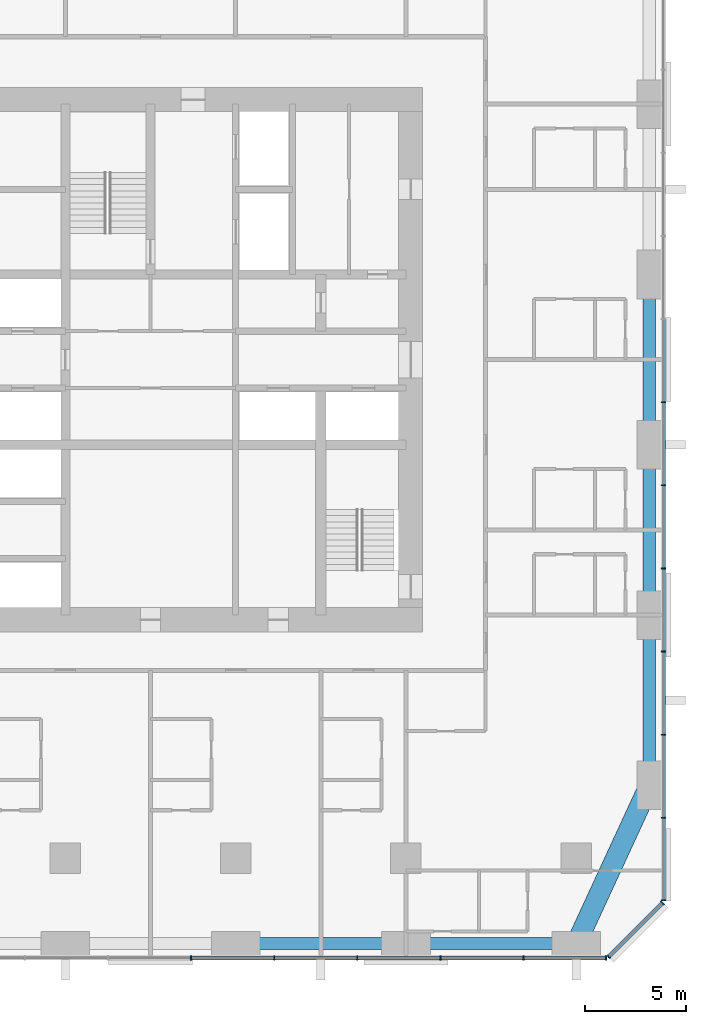
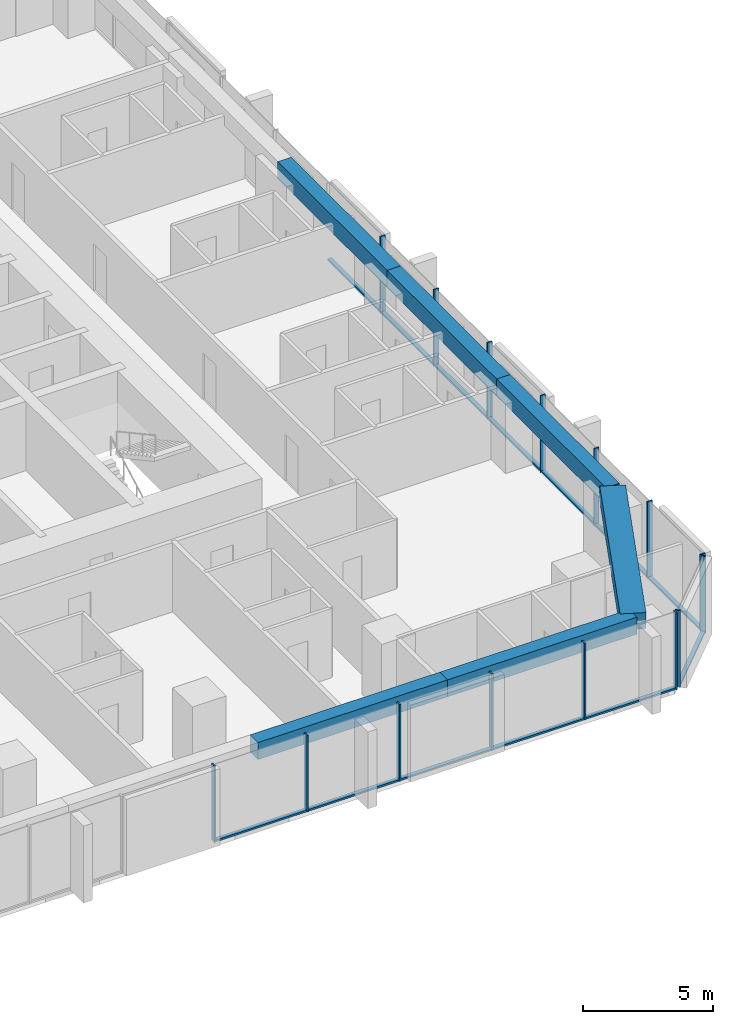
# One storey, part 4 of 14: 28 members, 6 beams, 3 elements without a shape of their own.
"""IFC4 building model written with IfcOpenShell, lengths in metres."""

import ifcopenshell
import ifcopenshell.guid

model = None  # the IFC model being written
_history = None  # IfcOwnerHistory: only IFC2X3 demands one
_inside = {}  # id of a spatial element -> (the spatial element, [elements in it])
_under = {}  # id of a project, library or spatial element -> (it, [spatial elements below it])
_declared = {}  # id of a project -> (the project, [libraries it declares])
_typed = {}  # id of a type object -> (the type object, [elements of that type])
_made_of = {}  # id of a material, layer set ... -> (it, [elements and type objects made of it])


def new_model(schema):
    """Start an empty IFC model of exactly this schema.

    Asked for "IFC4X3", IfcOpenShell would pick the latest addendum, in which some entities
    have other attributes; the version numbers below select the first issue.
    IFC2X3 requires an IfcOwnerHistory on every rooted entity: one is made here for all.
    """
    global model, _history
    if schema == "IFC4X3":
        model = ifcopenshell.file(schema_version=(4, 3, 0, 0))
    else:
        model = ifcopenshell.file(schema=schema)
    _inside.clear()
    _under.clear()
    _declared.clear()
    _typed.clear()
    _made_of.clear()
    _history = None
    if model.schema == "IFC2X3":
        org = make("IfcOrganization", Name="unknown")
        user = make(
            "IfcPersonAndOrganization",
            ThePerson=make("IfcPerson", FamilyName="unknown"),
            TheOrganization=org,
        )
        app = make(
            "IfcApplication",
            ApplicationDeveloper=org,
            Version="unknown",
            ApplicationFullName="unknown",
            ApplicationIdentifier="unknown",
        )
        _history = make(
            "IfcOwnerHistory",
            OwningUser=user,
            OwningApplication=app,
            ChangeAction="ADDED",
            CreationDate=0,
        )
    return model


def make(cls, **values):
    """One entity of the class cls with the attributes given. An attribute that is None is left unset."""
    return model.create_entity(
        cls, **{name: value for name, value in values.items() if value is not None}
    )


def rooted(cls, **values):
    """An entity with a GlobalId (a new one), such as an element, a storey or a relation."""
    return make(cls, GlobalId=ifcopenshell.guid.new(), OwnerHistory=_history, **values)


def si_unit(unit_type, name, prefix=None):
    """IfcSIUnit, for example si_unit("LENGTHUNIT", "METRE", prefix="MILLI")."""
    return make("IfcSIUnit", UnitType=unit_type, Prefix=prefix, Name=name)


def assignment(units):
    """IfcUnitAssignment: the units of a project."""
    return None if units is None else make("IfcUnitAssignment", Units=units)


def point(xyz):
    """IfcCartesianPoint."""
    return None if xyz is None else make("IfcCartesianPoint", Coordinates=xyz)


def direction(xyz):
    """IfcDirection."""
    return None if xyz is None else make("IfcDirection", DirectionRatios=xyz)


def frame(location, z_axis=None, x_axis=None):
    """IfcAxis2Placement3D, a coordinate frame: its origin and axes. An axis left out is left unset."""
    return make(
        "IfcAxis2Placement3D",
        Location=point(location),
        Axis=direction(z_axis),
        RefDirection=direction(x_axis),
    )


def frame_2d(location, x_axis=None):
    """IfcAxis2Placement2D, a coordinate frame in the plane: its origin and x axis."""
    return make(
        "IfcAxis2Placement2D", Location=point(location), RefDirection=direction(x_axis)
    )


def origin():
    """The frame at (0, 0, 0) with its axes left unset."""
    return frame((0.0, 0.0, 0.0))


def origin_2d():
    """The frame at (0, 0) in the plane with its x axis left unset."""
    return frame_2d((0.0, 0.0))


def place(relative_to, where):
    """IfcLocalPlacement: puts the frame where relative to a parent placement (None: the world)."""
    return make(
        "IfcLocalPlacement", PlacementRelTo=relative_to, RelativePlacement=where
    )


def context(
    kind, dimensions, precision=None, world=None, true_north=None, identifier=None
):
    """IfcGeometricRepresentationContext, for example the 3D "Model" context."""
    return make(
        "IfcGeometricRepresentationContext",
        ContextIdentifier=identifier,
        ContextType=kind,
        CoordinateSpaceDimension=dimensions,
        Precision=precision,
        WorldCoordinateSystem=world,
        TrueNorth=true_north,
    )


def subcontext(parent, identifier, kind, view, scale=None):
    """IfcGeometricRepresentationSubContext, for example "Body" below "Model"."""
    return make(
        "IfcGeometricRepresentationSubContext",
        ContextIdentifier=identifier,
        ContextType=kind,
        ParentContext=parent,
        TargetScale=scale,
        TargetView=view,
    )


def project(units=None, contexts=None):
    """IfcProject with its units and contexts."""
    return rooted(
        "IfcProject",
        Name="project",
        RepresentationContexts=contexts,
        UnitsInContext=assignment(units),
    )


def spatial(cls, under=None, at=None, **own):
    """A site, building, storey or space (cls), placed at a placement, below another one or the project."""
    s = rooted(cls, ObjectPlacement=at, **own)
    if under is not None:
        _under.setdefault(under.id(), (under, []))[1].append(s)
    return s


def profile(cls, at=None, kind="AREA", **sizes):
    """A parametric profile (cls). Its sizes go by their IFC names, for example OverallWidth=200.0."""
    return make(cls, ProfileType=kind, Position=at, **sizes)


def rectangle(**sizes):
    """IfcRectangleProfileDef."""
    return profile("IfcRectangleProfileDef", **sizes)


def extrude(swept, where, along, depth):
    """IfcExtrudedAreaSolid: the profile swept, set in the frame where, extruded along a direction by depth."""
    return make(
        "IfcExtrudedAreaSolid",
        SweptArea=swept,
        Position=where,
        ExtrudedDirection=direction(along),
        Depth=depth,
    )


def shape(context_of_items, identifier, shape_type, items):
    """IfcShapeRepresentation: the items that make up one representation, for example the "Body"."""
    return make(
        "IfcShapeRepresentation",
        ContextOfItems=context_of_items,
        RepresentationIdentifier=identifier,
        RepresentationType=shape_type,
        Items=items,
    )


def material(Name=None, Category=None):
    """IfcMaterial."""
    return make("IfcMaterial", Name=Name, Category=Category)


def material_profile(
    of_material, cross_section, Name=None, Category=None, Priority=None
):
    """IfcMaterialProfile: a cross section and its material."""
    return make(
        "IfcMaterialProfile",
        Name=Name,
        Material=of_material,
        Profile=cross_section,
        Priority=Priority,
        Category=Category,
    )


def profile_set(profiles, Name=None, composite=None):
    """IfcMaterialProfileSet."""
    return make(
        "IfcMaterialProfileSet",
        Name=Name,
        MaterialProfiles=profiles,
        CompositeProfile=composite,
    )


def made_of(thing, what):
    """Note that an element or type object is made of a material, layer set ...; save() writes the relation."""
    if what is not None:
        _made_of.setdefault(what.id(), (what, []))[1].append(thing)
    return thing


def type_object(cls, material=None, **own):
    """A type object (cls), such as IfcWallType, which elements share."""
    return made_of(rooted(cls, **own), material)


def element(
    cls,
    number,
    at=None,
    inside=None,
    cuts=None,
    type_object=None,
    material=None,
    context=None,
    identifier="Body",
    shape_type=None,
    held_by="IfcProductDefinitionShape",
    body=None,
    shapes=None,
    **own,
):
    """One element of the class cls, such as IfcWall. Its Tag is "e" and its number.

    at: its placement. inside: the storey or other place that contains it. cuts: it is an
    opening in that element (IfcRelVoidsElement). A single representation is given by context,
    identifier, shape_type and body (its items); several are given by shapes. held_by: the class
    of the entity that holds the representations. save() writes the other relations.
    """
    e = rooted(cls, Tag="e%d" % number, ObjectPlacement=at, **own)
    if body is not None:
        shapes = [shape(context, identifier, shape_type, body)]
    if shapes is not None:
        e.Representation = make(held_by, Representations=shapes)
    if inside is not None:
        _inside.setdefault(inside.id(), (inside, []))[1].append(e)
    if cuts is not None:
        rooted(
            "IfcRelVoidsElement", RelatingBuildingElement=cuts, RelatedOpeningElement=e
        )
    if type_object is not None:
        _typed.setdefault(type_object.id(), (type_object, []))[1].append(e)
    return made_of(e, material)


def aggregate(whole, parts):
    """IfcRelAggregates: a whole, such as a stair, and the parts it consists of."""
    return rooted("IfcRelAggregates", RelatingObject=whole, RelatedObjects=parts)


def save(model, path):
    """Write the relations noted so far, then the file.

    IfcRelAggregates (storeys below a building ...), IfcRelContainedInSpatialStructure (elements
    in a storey), IfcRelDefinesByType, IfcRelAssociatesMaterial and IfcRelDeclares: one each for
    every whole, place, type object, material and project.
    """
    for whole, parts in _under.values():
        aggregate(whole, parts)
    for where, things in _inside.values():
        rooted(
            "IfcRelContainedInSpatialStructure",
            RelatedElements=things,
            RelatingStructure=where,
        )
    for kind, things in _typed.values():
        rooted("IfcRelDefinesByType", RelatedObjects=things, RelatingType=kind)
    for what, things in _made_of.values():
        rooted("IfcRelAssociatesMaterial", RelatedObjects=things, RelatingMaterial=what)
    for by, libraries in _declared.values():
        rooted("IfcRelDeclares", RelatingContext=by, RelatedDefinitions=libraries)
    model.write(path)


model = new_model("IFC4")

# Units and contexts
model_context = context("Model", 3, precision=1e-05, world=origin(), true_north=direction((0.0, 1.0)))
body_context = subcontext(model_context, "Body", "Model", "MODEL_VIEW")
ifc_project = project(units=[si_unit("LENGTHUNIT", "METRE"), si_unit("AREAUNIT", "SQUARE_METRE"), si_unit("VOLUMEUNIT", "CUBIC_METRE"), si_unit("PLANEANGLEUNIT", "RADIAN"), si_unit("MASSUNIT", "GRAM", prefix="KILO")], contexts=[model_context])

# Site, building, storey
site_placement = place(None, origin())
site = spatial("IfcSite", under=ifc_project, at=site_placement, CompositionType="ELEMENT")
building_placement = place(site_placement, origin())
building = spatial("IfcBuilding", under=site, at=building_placement, Name="Dunama Terrace Hotel", CompositionType="ELEMENT")
storey_placement = place(building_placement, frame((0.0, 0.0, 108.0)))
storey = spatial("IfcBuildingStorey", under=building, at=storey_placement, Name="L27", CompositionType="ELEMENT", Elevation=108.0)

# Curtain wall, members
ifc_material_1 = material(Name="Aluminium curtain wall system", Category="aluminium")
curtain_wall_type = type_object("IfcCurtainWallType", Name="Unitised fritted glass wall CW-B", PredefinedType="NOTDEFINED", material=ifc_material_1)
curtain_wall_1_placement = place(storey_placement, origin())
curtain_wall_1 = element("IfcCurtainWall", 1, at=curtain_wall_1_placement, inside=storey, type_object=curtain_wall_type, Name="Unitised fritted glass wall CW-B L27", PredefinedType="NOTDEFINED")
ifc_material_2 = material(Name="Aluminium mullion", Category="aluminium")
ifc_material_profile_1 = material_profile(ifc_material_2, rectangle(XDim=0.06494140625, YDim=0.219970703125, at=origin_2d()), Name="CWB MULLION 65X220")
ifc_profile_set_1 = profile_set([ifc_material_profile_1], Name="Aluminium mullion")
member_type_1 = type_object("IfcMemberType", Name="CWB mullion 65x220", PredefinedType="MULLION", material=ifc_profile_set_1)
member_1_placement = place(storey_placement, frame((31.39990234375, -0.110107421875, 0.0), z_axis=(0.0, 0.0, 1.0), x_axis=(1.0, 0.0, 0.0)))
member_1 = element("IfcMember", 2, at=member_1_placement, type_object=member_type_1, Name="CWB mullion", PredefinedType="MULLION", context=body_context, shape_type="SweptSolid", body=[
    extrude(rectangle(XDim=0.06494140625, YDim=0.219970703125, at=origin_2d()), origin(), (0.0, 0.0, 1.0), 3.60009765625),
])
member_2_placement = place(storey_placement, frame((35.5, -0.110107421875, 0.0), z_axis=(0.0, 0.0, 1.0), x_axis=(1.0, 0.0, 0.0)))
member_2 = element("IfcMember", 3, at=member_2_placement, type_object=member_type_1, Name="CWB mullion", PredefinedType="MULLION", context=body_context, shape_type="SweptSolid", body=[
    extrude(rectangle(XDim=0.06494140625, YDim=0.219970703125, at=origin_2d()), origin(), (0.0, 0.0, 1.0), 3.60009765625),
])
member_3_placement = place(storey_placement, frame((39.60009765625, -0.110107421875, 0.0), z_axis=(0.0, 0.0, 1.0), x_axis=(1.0, 0.0, 0.0)))
member_3 = element("IfcMember", 4, at=member_3_placement, type_object=member_type_1, Name="CWB mullion", PredefinedType="MULLION", context=body_context, shape_type="SweptSolid", body=[
    extrude(rectangle(XDim=0.06494140625, YDim=0.219970703125, at=origin_2d()), origin(), (0.0, 0.0, 1.0), 3.60009765625),
])
member_4_placement = place(storey_placement, frame((43.699951171875, -0.110107421875, 0.0), z_axis=(0.0, 0.0, 1.0), x_axis=(1.0, 0.0, 0.0)))
member_4 = element("IfcMember", 5, at=member_4_placement, type_object=member_type_1, Name="CWB mullion", PredefinedType="MULLION", context=body_context, shape_type="SweptSolid", body=[
    extrude(rectangle(XDim=0.06494140625, YDim=0.219970703125, at=origin_2d()), origin(), (0.0, 0.0, 1.0), 3.60009765625),
])
member_5_placement = place(storey_placement, frame((47.800048828125, -0.110107421875, 0.0), z_axis=(0.0, 0.0, 1.0), x_axis=(1.0, 0.0, 0.0)))
member_5 = element("IfcMember", 6, at=member_5_placement, type_object=member_type_1, Name="CWB mullion", PredefinedType="MULLION", context=body_context, shape_type="SweptSolid", body=[
    extrude(rectangle(XDim=0.06494140625, YDim=0.219970703125, at=origin_2d()), origin(), (0.0, 0.0, 1.0), 3.60009765625),
])
member_6_placement = place(storey_placement, frame((51.866943359375, -0.110107421875, 0.0), z_axis=(0.0, 0.0, 1.0), x_axis=(1.0, 0.0, 0.0)))
member_6 = element("IfcMember", 7, at=member_6_placement, type_object=member_type_1, Name="CWB mullion", PredefinedType="MULLION", context=body_context, shape_type="SweptSolid", body=[
    extrude(rectangle(XDim=0.06494140625, YDim=0.219970703125, at=origin_2d()), origin(), (0.0, 0.0, 1.0), 3.60009765625),
])

curtain_wall_2_placement = place(storey_placement, origin())
curtain_wall_2 = element("IfcCurtainWall", 8, at=curtain_wall_2_placement, inside=storey, type_object=curtain_wall_type, Name="Unitised fritted glass wall CW-B L27", PredefinedType="NOTDEFINED")
member_7_placement = place(storey_placement, frame((52.0009765625, -0.054931640625, 0.0), z_axis=(0.0, 0.0, 1.0), x_axis=(0.707106781187, 0.707106781187, 0.0)))
member_7 = element("IfcMember", 9, at=member_7_placement, type_object=member_type_1, Name="CWB mullion", PredefinedType="MULLION", context=body_context, shape_type="SweptSolid", body=[
    extrude(rectangle(XDim=0.06494140625, YDim=0.219970703125, at=origin_2d()), origin(), (0.0, 0.0, 1.0), 3.60009765625),
])
member_8_placement = place(storey_placement, frame((54.655029296875, 2.59912109375, 0.0), z_axis=(0.0, 0.0, 1.0), x_axis=(0.707106781187, 0.707106781187, 0.0)))
member_8 = element("IfcMember", 10, at=member_8_placement, type_object=member_type_1, Name="CWB mullion", PredefinedType="MULLION", context=body_context, shape_type="SweptSolid", body=[
    extrude(rectangle(XDim=0.06494140625, YDim=0.219970703125, at=origin_2d()), origin(), (0.0, 0.0, 1.0), 3.60009765625),
])

curtain_wall_3_placement = place(storey_placement, origin())
curtain_wall_3 = element("IfcCurtainWall", 11, at=curtain_wall_3_placement, inside=storey, type_object=curtain_wall_type, Name="Unitised fritted glass wall CW-B L27", PredefinedType="NOTDEFINED")
member_9_placement = place(storey_placement, frame((54.7099609375, 2.73291015625, 0.0), z_axis=(0.0, 0.0, 1.0), x_axis=(0.0, 1.0, 0.0)))
member_9 = element("IfcMember", 12, at=member_9_placement, type_object=member_type_1, Name="CWB mullion", PredefinedType="MULLION", context=body_context, shape_type="SweptSolid", body=[
    extrude(rectangle(XDim=0.06494140625, YDim=0.219970703125, at=origin_2d()), origin(), (0.0, 0.0, 1.0), 3.60009765625),
])
member_10_placement = place(storey_placement, frame((54.7099609375, 6.800048828125, 0.0), z_axis=(0.0, 0.0, 1.0), x_axis=(0.0, 1.0, 0.0)))
member_10 = element("IfcMember", 13, at=member_10_placement, type_object=member_type_1, Name="CWB mullion", PredefinedType="MULLION", context=body_context, shape_type="SweptSolid", body=[
    extrude(rectangle(XDim=0.06494140625, YDim=0.219970703125, at=origin_2d()), origin(), (0.0, 0.0, 1.0), 3.60009765625),
])
member_11_placement = place(storey_placement, frame((54.7099609375, 10.89990234375, 0.0), z_axis=(0.0, 0.0, 1.0), x_axis=(0.0, 1.0, 0.0)))
member_11 = element("IfcMember", 14, at=member_11_placement, type_object=member_type_1, Name="CWB mullion", PredefinedType="MULLION", context=body_context, shape_type="SweptSolid", body=[
    extrude(rectangle(XDim=0.06494140625, YDim=0.219970703125, at=origin_2d()), origin(), (0.0, 0.0, 1.0), 3.60009765625),
])
member_12_placement = place(storey_placement, frame((54.7099609375, 15.0, 0.0), z_axis=(0.0, 0.0, 1.0), x_axis=(0.0, 1.0, 0.0)))
member_12 = element("IfcMember", 15, at=member_12_placement, type_object=member_type_1, Name="CWB mullion", PredefinedType="MULLION", context=body_context, shape_type="SweptSolid", body=[
    extrude(rectangle(XDim=0.06494140625, YDim=0.219970703125, at=origin_2d()), origin(), (0.0, 0.0, 1.0), 3.60009765625),
])
member_13_placement = place(storey_placement, frame((54.7099609375, 19.10009765625, 0.0), z_axis=(0.0, 0.0, 1.0), x_axis=(0.0, 1.0, 0.0)))
member_13 = element("IfcMember", 16, at=member_13_placement, type_object=member_type_1, Name="CWB mullion", PredefinedType="MULLION", context=body_context, shape_type="SweptSolid", body=[
    extrude(rectangle(XDim=0.06494140625, YDim=0.219970703125, at=origin_2d()), origin(), (0.0, 0.0, 1.0), 3.60009765625),
])
member_14_placement = place(storey_placement, frame((54.7099609375, 23.199951171875, 0.0), z_axis=(0.0, 0.0, 1.0), x_axis=(0.0, 1.0, 0.0)))
member_14 = element("IfcMember", 17, at=member_14_placement, type_object=member_type_1, Name="CWB mullion", PredefinedType="MULLION", context=body_context, shape_type="SweptSolid", body=[
    extrude(rectangle(XDim=0.06494140625, YDim=0.219970703125, at=origin_2d()), origin(), (0.0, 0.0, 1.0), 3.60009765625),
])
member_15_placement = place(storey_placement, frame((54.7099609375, 27.300048828125, 0.0), z_axis=(0.0, 0.0, 1.0), x_axis=(0.0, 1.0, 0.0)))
member_15 = element("IfcMember", 18, at=member_15_placement, type_object=member_type_1, Name="CWB mullion", PredefinedType="MULLION", context=body_context, shape_type="SweptSolid", body=[
    extrude(rectangle(XDim=0.06494140625, YDim=0.219970703125, at=origin_2d()), origin(), (0.0, 0.0, 1.0), 3.60009765625),
])

# Member
ifc_material_3 = material(Name="Aluminium transom", Category="aluminium")
ifc_material_profile_2 = material_profile(ifc_material_3, rectangle(XDim=0.179931640625, YDim=0.080078125, at=origin_2d()), Name="CWB TRANSOM 180X80")
ifc_profile_set_2 = profile_set([ifc_material_profile_2], Name="Aluminium transom")
member_type_2 = type_object("IfcMemberType", Name="CWB transom 180x80", PredefinedType="USERDEFINED", material=ifc_profile_set_2)
member_16_placement = place(storey_placement, frame((31.431884765625, -0.110107421875, 0.0400390625), z_axis=(1.0, 0.0, 0.0), x_axis=(0.0, 1.0, 0.0)))
member_16 = element("IfcMember", 19, at=member_16_placement, type_object=member_type_2, Name="CWB transom", ObjectType="TRANSOM", PredefinedType="USERDEFINED", context=body_context, shape_type="SweptSolid", body=[
    extrude(rectangle(XDim=0.179931640625, YDim=0.080078125, at=origin_2d()), origin(), (0.0, 0.0, 1.0), 4.0361328125),
])

member_17_placement = place(storey_placement, frame((35.531982421875, -0.110107421875, 0.0400390625), z_axis=(1.0, 0.0, 0.0), x_axis=(0.0, 1.0, 0.0)))
member_17 = element("IfcMember", 20, at=member_17_placement, type_object=member_type_2, Name="CWB transom", ObjectType="TRANSOM", PredefinedType="USERDEFINED", context=body_context, shape_type="SweptSolid", body=[
    extrude(rectangle(XDim=0.179931640625, YDim=0.080078125, at=origin_2d()), origin(), (0.0, 0.0, 1.0), 4.0361328125),
])

member_18_placement = place(storey_placement, frame((39.633056640625, -0.110107421875, 0.0400390625), z_axis=(1.0, 0.0, 0.0), x_axis=(0.0, 1.0, 0.0)))
member_18 = element("IfcMember", 21, at=member_18_placement, type_object=member_type_2, Name="CWB transom", ObjectType="TRANSOM", PredefinedType="USERDEFINED", context=body_context, shape_type="SweptSolid", body=[
    extrude(rectangle(XDim=0.179931640625, YDim=0.080078125, at=origin_2d()), origin(), (0.0, 0.0, 1.0), 4.034912109375),
])

member_19_placement = place(storey_placement, frame((43.73291015625, -0.110107421875, 0.0400390625), z_axis=(1.0, 0.0, 0.0), x_axis=(0.0, 1.0, 0.0)))
member_19 = element("IfcMember", 22, at=member_19_placement, type_object=member_type_2, Name="CWB transom", ObjectType="TRANSOM", PredefinedType="USERDEFINED", context=body_context, shape_type="SweptSolid", body=[
    extrude(rectangle(XDim=0.179931640625, YDim=0.080078125, at=origin_2d()), origin(), (0.0, 0.0, 1.0), 4.0341796875),
])

member_20_placement = place(storey_placement, frame((47.83203125, -0.110107421875, 0.0400390625), z_axis=(1.0, 0.0, 0.0), x_axis=(0.0, 1.0, 0.0)))
member_20 = element("IfcMember", 23, at=member_20_placement, type_object=member_type_2, Name="CWB transom", ObjectType="TRANSOM", PredefinedType="USERDEFINED", context=body_context, shape_type="SweptSolid", body=[
    extrude(rectangle(XDim=0.179931640625, YDim=0.080078125, at=origin_2d()), origin(), (0.0, 0.0, 1.0), 4.0029296875),
])

aggregate(curtain_wall_1, [member_1, member_2, member_3, member_4, member_5, member_6, member_16, member_17, member_18, member_19, member_20])

member_21_placement = place(storey_placement, frame((52.02392578125, -0.031982421875, 0.0400390625), z_axis=(0.707139876915, 0.707073683909, 0.0), x_axis=(-0.707073683909, 0.707139876915, 0.0)))
member_21 = element("IfcMember", 24, at=member_21_placement, type_object=member_type_2, Name="CWB transom", ObjectType="TRANSOM", PredefinedType="USERDEFINED", context=body_context, shape_type="SweptSolid", body=[
    extrude(rectangle(XDim=0.179931640625, YDim=0.080078125, at=origin_2d()), origin(), (0.0, 0.0, 1.0), 3.688232421875),
])

aggregate(curtain_wall_2, [member_7, member_8, member_21])

member_22_placement = place(storey_placement, frame((54.7099609375, 2.764892578125, 0.0400390625), z_axis=(0.0, 1.0, 0.0), x_axis=(-1.0, 0.0, 0.0)))
member_22 = element("IfcMember", 25, at=member_22_placement, type_object=member_type_2, Name="CWB transom", ObjectType="TRANSOM", PredefinedType="USERDEFINED", context=body_context, shape_type="SweptSolid", body=[
    extrude(rectangle(XDim=0.179931640625, YDim=0.080078125, at=origin_2d()), origin(), (0.0, 0.0, 1.0), 4.003173828125),
])

member_23_placement = place(storey_placement, frame((54.7099609375, 6.83203125, 0.0400390625), z_axis=(0.0, 1.0, 0.0), x_axis=(-1.0, 0.0, 0.0)))
member_23 = element("IfcMember", 26, at=member_23_placement, type_object=member_type_2, Name="CWB transom", ObjectType="TRANSOM", PredefinedType="USERDEFINED", context=body_context, shape_type="SweptSolid", body=[
    extrude(rectangle(XDim=0.179931640625, YDim=0.080078125, at=origin_2d()), origin(), (0.0, 0.0, 1.0), 4.034912109375),
])

member_24_placement = place(storey_placement, frame((54.7099609375, 10.93310546875, 0.0400390625), z_axis=(0.0, 1.0, 0.0), x_axis=(-1.0, 0.0, 0.0)))
member_24 = element("IfcMember", 27, at=member_24_placement, type_object=member_type_2, Name="CWB transom", ObjectType="TRANSOM", PredefinedType="USERDEFINED", context=body_context, shape_type="SweptSolid", body=[
    extrude(rectangle(XDim=0.179931640625, YDim=0.080078125, at=origin_2d()), origin(), (0.0, 0.0, 1.0), 4.033935546875),
])

member_25_placement = place(storey_placement, frame((54.7099609375, 15.031982421875, 0.0400390625), z_axis=(0.0, 1.0, 0.0), x_axis=(-1.0, 0.0, 0.0)))
member_25 = element("IfcMember", 28, at=member_25_placement, type_object=member_type_2, Name="CWB transom", ObjectType="TRANSOM", PredefinedType="USERDEFINED", context=body_context, shape_type="SweptSolid", body=[
    extrude(rectangle(XDim=0.179931640625, YDim=0.080078125, at=origin_2d()), origin(), (0.0, 0.0, 1.0), 4.034912109375),
])

member_26_placement = place(storey_placement, frame((54.7099609375, 19.132080078125, 0.0400390625), z_axis=(0.0, 1.0, 0.0), x_axis=(-1.0, 0.0, 0.0)))
member_26 = element("IfcMember", 29, at=member_26_placement, type_object=member_type_2, Name="CWB transom", ObjectType="TRANSOM", PredefinedType="USERDEFINED", context=body_context, shape_type="SweptSolid", body=[
    extrude(rectangle(XDim=0.179931640625, YDim=0.080078125, at=origin_2d()), origin(), (0.0, 0.0, 1.0), 4.035888671875),
])

member_27_placement = place(storey_placement, frame((54.7099609375, 23.23193359375, 0.0400390625), z_axis=(0.0, 1.0, 0.0), x_axis=(-1.0, 0.0, 0.0)))
member_27 = element("IfcMember", 30, at=member_27_placement, type_object=member_type_2, Name="CWB transom", ObjectType="TRANSOM", PredefinedType="USERDEFINED", context=body_context, shape_type="SweptSolid", body=[
    extrude(rectangle(XDim=0.179931640625, YDim=0.080078125, at=origin_2d()), origin(), (0.0, 0.0, 1.0), 4.03515625),
])

member_28_placement = place(storey_placement, frame((54.7099609375, 27.33203125, 0.0400390625), z_axis=(0.0, 1.0, 0.0), x_axis=(-1.0, 0.0, 0.0)))
member_28 = element("IfcMember", 31, at=member_28_placement, type_object=member_type_2, Name="CWB transom", ObjectType="TRANSOM", PredefinedType="USERDEFINED", context=body_context, shape_type="SweptSolid", body=[
    extrude(rectangle(XDim=0.179931640625, YDim=0.080078125, at=origin_2d()), origin(), (0.0, 0.0, 1.0), 4.034912109375),
])

aggregate(curtain_wall_3, [member_9, member_10, member_11, member_12, member_13, member_14, member_15, member_22, member_23, member_24, member_25, member_26, member_27, member_28])

# Beams
ifc_material_4 = material(Name="Concrete C50/60", Category="concrete")
ifc_material_profile_3 = material_profile(ifc_material_4, rectangle(XDim=1.0, YDim=0.75, at=origin_2d()), Name="RC 1000x750")
ifc_profile_set_3 = profile_set([ifc_material_profile_3], Name="Concrete C50/60")
beam_type_1 = type_object("IfcBeamType", Name="Edge beam RC 1000x750", PredefinedType="SPANDREL", material=ifc_profile_set_3)
beam_1_placement = place(storey_placement, frame((50.39990234375, 0.60009765625, 3.22509765625), z_axis=(0.419076199598, 0.907951066374, 0.0), x_axis=(-0.907951066374, 0.419076199598, 0.0)))
element("IfcBeam", 32, at=beam_1_placement, inside=storey, type_object=beam_type_1, Name="Corner edge beam under L28", PredefinedType="SPANDREL", context=body_context, shape_type="SweptSolid", body=[
    extrude(rectangle(XDim=1.0, YDim=0.75, at=origin_2d()), origin(), (0.0, 0.0, 1.0), 8.590576171875),
])
ifc_material_5 = material(Name="Concrete C40/50", Category="concrete")
ifc_material_profile_4 = material_profile(ifc_material_5, rectangle(XDim=0.60009765625, YDim=0.800048828125, at=origin_2d()), Name="RC 600x800")
ifc_profile_set_4 = profile_set([ifc_material_profile_4], Name="Concrete C40/50")
beam_type_2 = type_object("IfcBeamType", Name="Edge beam RC 600x800", PredefinedType="SPANDREL", material=ifc_profile_set_4)
beam_2_placement = place(storey_placement, frame((54.0, 8.39990234375, 3.199951171875), z_axis=(0.0, 1.0, 0.0), x_axis=(-1.0, 0.0, 0.0)))
element("IfcBeam", 33, at=beam_2_placement, inside=storey, type_object=beam_type_2, Name="Edge beam under L28", PredefinedType="SPANDREL", context=body_context, shape_type="SweptSolid", body=[
    extrude(rectangle(XDim=0.60009765625, YDim=0.800048828125, at=origin_2d()), origin(), (0.0, 0.0, 1.0), 8.400146484375),
])
beam_3_placement = place(storey_placement, frame((54.0, 16.800048828125, 3.199951171875), z_axis=(0.0, 1.0, 0.0), x_axis=(-1.0, 0.0, 0.0)))
element("IfcBeam", 34, at=beam_3_placement, inside=storey, type_object=beam_type_2, Name="Edge beam under L28", PredefinedType="SPANDREL", context=body_context, shape_type="SweptSolid", body=[
    extrude(rectangle(XDim=0.60009765625, YDim=0.800048828125, at=origin_2d()), origin(), (0.0, 0.0, 1.0), 8.39990234375),
])
beam_4_placement = place(storey_placement, frame((54.0, 25.199951171875, 3.199951171875), z_axis=(0.0, 1.0, 0.0), x_axis=(-1.0, 0.0, 0.0)))
element("IfcBeam", 35, at=beam_4_placement, inside=storey, type_object=beam_type_2, Name="Edge beam under L28", PredefinedType="SPANDREL", context=body_context, shape_type="SweptSolid", body=[
    extrude(rectangle(XDim=0.60009765625, YDim=0.800048828125, at=origin_2d()), origin(), (0.0, 0.0, 1.0), 8.400146484375),
])
for number, where, z_axis, x_axis, name in (
    (36, (33.60009765625, 0.60009765625, 3.199951171875), (1.0, 0.0, 0.0), (0.0, 1.0, 0.0), "Edge beam under L28"),
    (37, (42.0, 0.60009765625, 3.199951171875), (1.0, 0.0, 0.0), (0.0, 1.0, 0.0), "Edge beam under L28"),
):
    element("IfcBeam", number, at=place(storey_placement, frame(where, z_axis=z_axis, x_axis=x_axis)), inside=storey, type_object=beam_type_2, Name=name, PredefinedType="SPANDREL", context=body_context, shape_type="SweptSolid", body=[
        extrude(rectangle(XDim=0.60009765625, YDim=0.800048828125, at=origin_2d()), origin(), (0.0, 0.0, 1.0), 8.39990234375),
    ])

save(model, "model.ifc")
